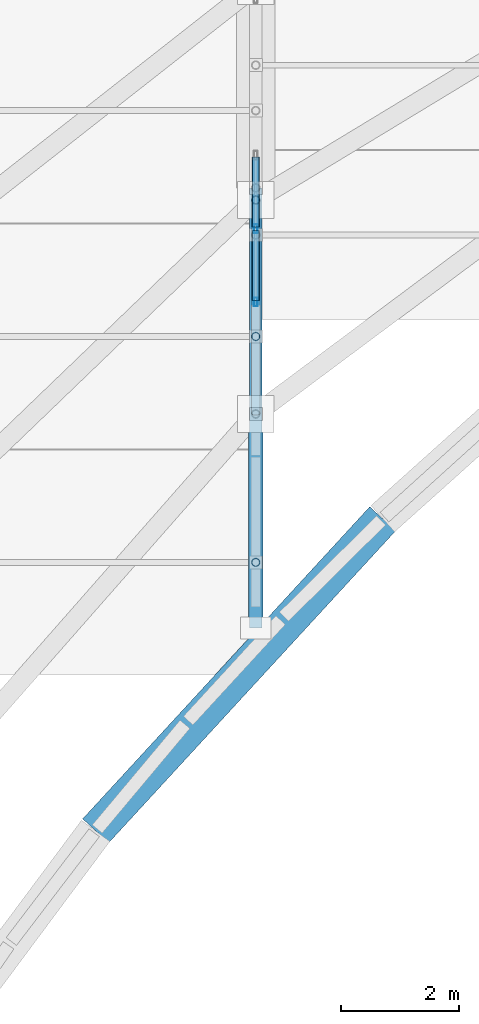
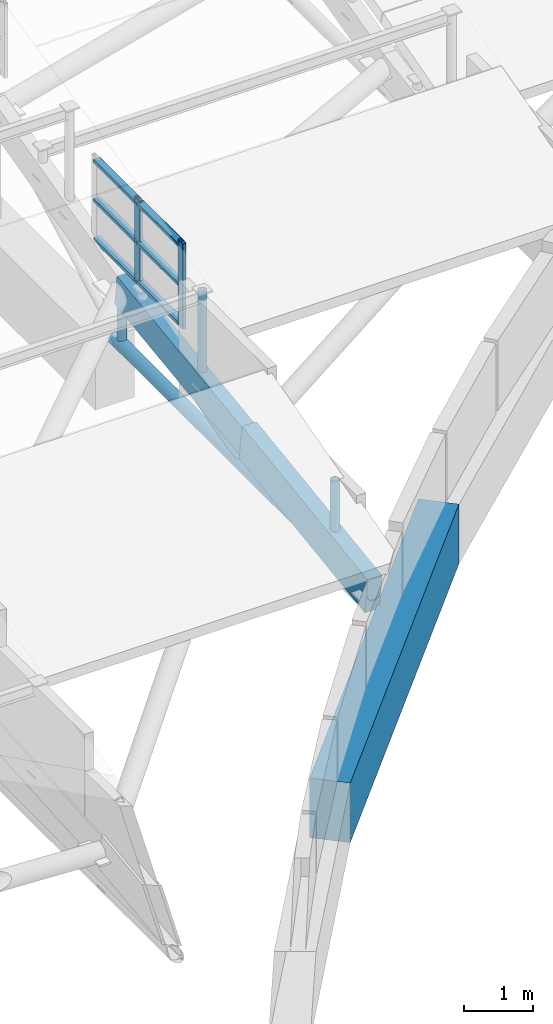
# One storey, part 79 of 188: 15 members, 1 beam, 1 element without a shape of its own.
"""IFC4 building model written with IfcOpenShell, lengths in metres."""

from ifc_helpers import new_model, si_unit, direction, frame, origin, origin_2d, place, context, subcontext, project, spatial, rectangle, hollow_rectangle, hollow_circle, extrude, material, layer, layer_set, material_profile, profile_set, type_object, element, aggregate, save


model = new_model("IFC4")

# Units and contexts
model_context = context("Model", 3, precision=1e-05, world=origin(), true_north=direction((0.0, 1.0)))
body_context = subcontext(model_context, "Body", "Model", "MODEL_VIEW")
ifc_project = project(units=[si_unit("LENGTHUNIT", "METRE"), si_unit("AREAUNIT", "SQUARE_METRE"), si_unit("VOLUMEUNIT", "CUBIC_METRE"), si_unit("PLANEANGLEUNIT", "RADIAN"), si_unit("MASSUNIT", "GRAM", prefix="KILO")], contexts=[model_context])

# Site, building, storey
site_placement = place(None, origin())
site = spatial("IfcSite", under=ifc_project, at=site_placement, CompositionType="ELEMENT")
building_placement = place(site_placement, origin())
building = spatial("IfcBuilding", under=site, at=building_placement, Name="Kisaragi Civic Commons", CompositionType="ELEMENT")
storey_placement = place(building_placement, frame((0.0, 0.0, 9.60009765625)))
storey = spatial("IfcBuildingStorey", under=building, at=storey_placement, Name="L02", CompositionType="ELEMENT", Elevation=9.60009765625)

# Curtain wall, members
ifc_material_1 = material(Name="Thermally broken anodized aluminium and low-E double glazing", Category="aluminium")
ifc_layer = layer(ifc_material_1, 0.14990234375, Name="Thermally broken anodized aluminium and low-E double glazing", Category="aluminium")
ifc_layer_set = layer_set([ifc_layer], Name="Thermally broken anodized aluminium and low-E double glazing")
curtain_wall_type = type_object("IfcCurtainWallType", Name="CW-03", PredefinedType="NOTDEFINED", material=ifc_layer_set)
curtain_wall_placement = place(storey_placement, origin())
curtain_wall = element("IfcCurtainWall", 1, at=curtain_wall_placement, inside=storey, type_object=curtain_wall_type, Name="L02 curtain wall CW-03 CW-CL-V2-209", PredefinedType="NOTDEFINED")
ifc_material_profile_1 = material_profile(ifc_material_1, hollow_rectangle(XDim=0.06005859375, YDim=0.14990234375, WallThickness=0.00390625, InnerFilletRadius=0.00390625, OuterFilletRadius=0.008056640625, at=origin_2d()), Name="CWM-60x150x4", Category="aluminium")
ifc_profile_set_1 = profile_set([ifc_material_profile_1], Name="Thermally broken anodized aluminium and low-E double glazing")
member_type_1 = type_object("IfcMemberType", Name="CWM-01", PredefinedType="MULLION", material=ifc_profile_set_1)
member_1_placement = place(storey_placement, frame((34.0, 94.06591796875, 1.2880859375), z_axis=(0.0, 0.0, 1.0), x_axis=(-1.0, 0.0, 0.0)))
member_1 = element("IfcMember", 2, at=member_1_placement, type_object=member_type_1, Name="CW-03 mullion 1", PredefinedType="MULLION", context=body_context, shape_type="SweptSolid", body=[
    extrude(hollow_rectangle(XDim=0.06005859375, YDim=0.14990234375, WallThickness=0.00390625, InnerFilletRadius=0.00390625, OuterFilletRadius=0.008056640625, at=origin_2d()), origin(), (0.0, 0.0, 1.0), 1.49609375),
])
member_2_placement = place(storey_placement, frame((34.0, 95.307861328125, 1.2880859375), z_axis=(0.0, 0.0, 1.0), x_axis=(-1.0, 0.0, 0.0)))
member_2 = element("IfcMember", 3, at=member_2_placement, type_object=member_type_1, Name="CW-03 mullion 2", PredefinedType="MULLION", context=body_context, shape_type="SweptSolid", body=[
    extrude(hollow_rectangle(XDim=0.06005859375, YDim=0.14990234375, WallThickness=0.00390625, InnerFilletRadius=0.00390625, OuterFilletRadius=0.008056640625, at=origin_2d()), origin(), (0.0, 0.0, 1.0), 1.49609375),
])
ifc_material_profile_2 = material_profile(ifc_material_1, hollow_rectangle(XDim=0.1201171875, YDim=0.06005859375, WallThickness=0.00390625, InnerFilletRadius=0.00390625, OuterFilletRadius=0.008056640625, at=origin_2d()), Name="CWT-60x120x4", Category="aluminium")
ifc_profile_set_2 = profile_set([ifc_material_profile_2], Name="Thermally broken anodized aluminium and low-E double glazing")
member_type_2 = type_object("IfcMemberType", Name="CWT-01", PredefinedType="USERDEFINED", material=ifc_profile_set_2)
member_3_placement = place(storey_placement, frame((34.0, 94.095703125, 1.34814453125), z_axis=(0.0, 1.0, 0.0), x_axis=(-1.0, 0.0, 0.0)))
member_3 = element("IfcMember", 4, at=member_3_placement, type_object=member_type_2, Name="CW-03 transom 1.1", ObjectType="TRANSOM", PredefinedType="USERDEFINED", context=body_context, shape_type="SweptSolid", body=[
    extrude(hollow_rectangle(XDim=0.1201171875, YDim=0.06005859375, WallThickness=0.00390625, InnerFilletRadius=0.00390625, OuterFilletRadius=0.008056640625, at=origin_2d()), origin(), (0.0, 0.0, 1.0), 1.18212890625),
])
member_4_placement = place(storey_placement, frame((34.0, 94.095703125, 2.0361328125), z_axis=(0.0, 1.0, 0.0), x_axis=(-1.0, 0.0, 0.0)))
member_4 = element("IfcMember", 5, at=member_4_placement, type_object=member_type_2, Name="CW-03 transom 1.2", ObjectType="TRANSOM", PredefinedType="USERDEFINED", context=body_context, shape_type="SweptSolid", body=[
    extrude(hollow_rectangle(XDim=0.1201171875, YDim=0.06005859375, WallThickness=0.00390625, InnerFilletRadius=0.00390625, OuterFilletRadius=0.008056640625, at=origin_2d()), origin(), (0.0, 0.0, 1.0), 1.18212890625),
])
member_5_placement = place(storey_placement, frame((34.0, 94.095703125, 2.72412109375), z_axis=(0.0, 1.0, 0.0), x_axis=(-1.0, 0.0, 0.0)))
member_5 = element("IfcMember", 6, at=member_5_placement, type_object=member_type_2, Name="CW-03 transom 1.3", ObjectType="TRANSOM", PredefinedType="USERDEFINED", context=body_context, shape_type="SweptSolid", body=[
    extrude(hollow_rectangle(XDim=0.1201171875, YDim=0.06005859375, WallThickness=0.00390625, InnerFilletRadius=0.00390625, OuterFilletRadius=0.008056640625, at=origin_2d()), origin(), (0.0, 0.0, 1.0), 1.18212890625),
])
member_6_placement = place(storey_placement, frame((34.0, 95.337890625, 1.34814453125), z_axis=(0.0, 1.0, 0.0), x_axis=(-1.0, 0.0, 0.0)))
member_6 = element("IfcMember", 7, at=member_6_placement, type_object=member_type_2, Name="CW-03 transom 2.1", ObjectType="TRANSOM", PredefinedType="USERDEFINED", context=body_context, shape_type="SweptSolid", body=[
    extrude(hollow_rectangle(XDim=0.1201171875, YDim=0.06005859375, WallThickness=0.00390625, InnerFilletRadius=0.00390625, OuterFilletRadius=0.008056640625, at=origin_2d()), origin(), (0.0, 0.0, 1.0), 1.18212890625),
])
member_7_placement = place(storey_placement, frame((34.0, 95.337890625, 2.0361328125), z_axis=(0.0, 1.0, 0.0), x_axis=(-1.0, 0.0, 0.0)))
member_7 = element("IfcMember", 8, at=member_7_placement, type_object=member_type_2, Name="CW-03 transom 2.2", ObjectType="TRANSOM", PredefinedType="USERDEFINED", context=body_context, shape_type="SweptSolid", body=[
    extrude(hollow_rectangle(XDim=0.1201171875, YDim=0.06005859375, WallThickness=0.00390625, InnerFilletRadius=0.00390625, OuterFilletRadius=0.008056640625, at=origin_2d()), origin(), (0.0, 0.0, 1.0), 1.18212890625),
])
member_8_placement = place(storey_placement, frame((34.0, 95.337890625, 2.72412109375), z_axis=(0.0, 1.0, 0.0), x_axis=(-1.0, 0.0, 0.0)))
member_8 = element("IfcMember", 9, at=member_8_placement, type_object=member_type_2, Name="CW-03 transom 2.3", ObjectType="TRANSOM", PredefinedType="USERDEFINED", context=body_context, shape_type="SweptSolid", body=[
    extrude(hollow_rectangle(XDim=0.1201171875, YDim=0.06005859375, WallThickness=0.00390625, InnerFilletRadius=0.00390625, OuterFilletRadius=0.008056640625, at=origin_2d()), origin(), (0.0, 0.0, 1.0), 1.18212890625),
])
aggregate(curtain_wall, [member_1, member_2, member_3, member_4, member_5, member_6, member_7, member_8])

# Beam
ifc_material_2 = material(Name="Concrete Fc36", Category="concrete")
ifc_material_profile_3 = material_profile(ifc_material_2, rectangle(XDim=0.60009765625, YDim=1.050048828125, at=origin_2d()), Name="RC-600x1050", Category="concrete")
ifc_profile_set_3 = profile_set([ifc_material_profile_3], Name="Concrete Fc36")
beam_type = type_object("IfcBeamType", Name="G-06", PredefinedType="BEAM", material=ifc_profile_set_3)
beam_placement = place(storey_placement, frame((36.151123046875, 90.394775390625, -0.84521484375), z_axis=(-0.67695639408, -0.736023124986, 0.0), x_axis=(0.736023124986, -0.67695639408, 0.0)))
element("IfcBeam", 10, at=beam_placement, inside=storey, type_object=beam_type, Name="L02 curved spandrel/ring girder G-06 275", PredefinedType="BEAM", context=body_context, shape_type="SweptSolid", body=[
    extrude(rectangle(XDim=0.60009765625, YDim=1.050048828125, at=origin_2d()), origin(), (0.0, 0.0, 1.0), 7.18359375),
])

# Members
ifc_material_3 = material(Name="Glulam E120-F330", Category="wood")
ifc_material_profile_4 = material_profile(ifc_material_3, rectangle(XDim=0.239990234375, YDim=0.6298828125, at=origin_2d()), Name="GL-240x630", Category="wood")
ifc_profile_set_4 = profile_set([ifc_material_profile_4], Name="Glulam E120-F330")
member_type_3 = type_object("IfcMemberType", Name="GR-03", PredefinedType="RAFTER", material=ifc_profile_set_4)
member_9_placement = place(storey_placement, frame((34.0, 88.544189453125, -0.080078125), z_axis=(0.0, 0.990118160016, 0.14023562032), x_axis=(-1.0, 0.0, 0.0)))
element("IfcMember", 11, at=member_9_placement, inside=storey, type_object=member_type_3, Name="V2 glulam arch rib GR-03 41", PredefinedType="RAFTER", context=body_context, shape_type="SweptSolid", body=[
    extrude(rectangle(XDim=0.239990234375, YDim=0.6298828125, at=origin_2d()), origin(), (0.0, 0.0, 1.0), 3.6611328125),
])
ifc_material_profile_5 = material_profile(ifc_material_3, rectangle(XDim=0.2099609375, YDim=0.5400390625, at=origin_2d()), Name="GL-210x540", Category="wood")
ifc_profile_set_5 = profile_set([ifc_material_profile_5], Name="Glulam E120-F330")
member_type_4 = type_object("IfcMemberType", Name="GR-04", PredefinedType="RAFTER", material=ifc_profile_set_5)
member_10_placement = place(storey_placement, frame((34.0, 92.169189453125, 0.433349609375), z_axis=(0.0, 0.991367276084, 0.131114163652), x_axis=(-1.0, 0.0, 0.0)))
element("IfcMember", 12, at=member_10_placement, inside=storey, type_object=member_type_4, Name="V2 glulam arch rib GR-04 42", PredefinedType="RAFTER", context=body_context, shape_type="SweptSolid", body=[
    extrude(rectangle(XDim=0.2099609375, YDim=0.5400390625, at=origin_2d()), origin(), (0.0, 0.0, 1.0), 3.656982421875),
])
ifc_material_4 = material(Name="Steel SN490 (SN490B)", Category="steel")
ifc_material_profile_6 = material_profile(ifc_material_4, hollow_circle(Radius=0.06982421875, WallThickness=0.006103515625, at=origin_2d()), Name="CHS-139.8x6.0", Category="steel")
ifc_profile_set_6 = profile_set([ifc_material_profile_6], Name="Steel SN490 (SN490B)")
member_type_5 = type_object("IfcMemberType", Name="ST-H1", PredefinedType="STRUT", material=ifc_profile_set_6)
member_11_placement = place(storey_placement, frame((34.0, 95.794677734375, -0.080078125), z_axis=(0.0, 0.0, 1.0), x_axis=(1.0, 0.0, 0.0)))
element("IfcMember", 13, at=member_11_placement, inside=storey, type_object=member_type_5, Name="V2 arch tie hanger strut 75", PredefinedType="STRUT", context=body_context, shape_type="SweptSolid", body=[
    extrude(hollow_circle(Radius=0.06982421875, WallThickness=0.006103515625, at=origin_2d()), origin(), (0.0, 0.0, 1.0), 0.992919921875),
])
member_12_placement = place(storey_placement, frame((34.0, 92.169189453125, -0.080078125), z_axis=(0.0, 0.964482996775, 0.264144939251), x_axis=(-1.0, 0.0, 0.0)))
element("IfcMember", 14, at=member_12_placement, inside=storey, type_object=member_type_5, Name="V2 tied arch truss diagonal web strut 81", PredefinedType="STRUT", context=body_context, shape_type="SweptSolid", body=[
    extrude(hollow_circle(Radius=0.06982421875, WallThickness=0.006103515625, at=origin_2d()), origin(), (0.0, 0.0, 1.0), 3.759033203125),
])
member_13_placement = place(storey_placement, frame((34.0, 89.65673828125, 0.077392578125), z_axis=(0.0, 0.0, 1.0), x_axis=(1.0, 0.0, 0.0)))
element("IfcMember", 15, at=member_13_placement, inside=storey, type_object=member_type_5, Name="V2 clerestory monitor horizontal tie strut 5.5.1", PredefinedType="STRUT", context=body_context, shape_type="SweptSolid", body=[
    extrude(hollow_circle(Radius=0.06982421875, WallThickness=0.006103515625, at=origin_2d()), origin(), (0.0, 0.0, 1.0), 1.198486328125),
])
member_14_placement = place(storey_placement, frame((34.0, 93.48193359375, 0.60693359375), z_axis=(0.0, 0.0, 1.0), x_axis=(1.0, 0.0, 0.0)))
element("IfcMember", 16, at=member_14_placement, inside=storey, type_object=member_type_5, Name="V2 clerestory monitor horizontal tie strut 5.5.2", PredefinedType="STRUT", context=body_context, shape_type="SweptSolid", body=[
    extrude(hollow_circle(Radius=0.06982421875, WallThickness=0.006103515625, at=origin_2d()), origin(), (0.0, 0.0, 1.0), 1.67919921875),
])
ifc_material_profile_7 = material_profile(ifc_material_4, hollow_circle(Radius=0.108154296875, WallThickness=0.008056640625, at=origin_2d()), Name="CHS-216.3x8.0", Category="steel")
ifc_profile_set_7 = profile_set([ifc_material_profile_7], Name="Steel SN490 (SN490B)")
member_type_6 = type_object("IfcMemberType", Name="ST-T2", PredefinedType="STRUT", material=ifc_profile_set_7)
member_15_placement = place(storey_placement, frame((34.0, 88.544189453125, -0.080078125), z_axis=(0.0, 1.0, 0.0), x_axis=(-1.0, 0.0, 0.0)))
element("IfcMember", 17, at=member_15_placement, inside=storey, type_object=member_type_6, Name="V2 arch tension tie ST-T2 72", PredefinedType="STRUT", context=body_context, shape_type="SweptSolid", body=[
    extrude(hollow_circle(Radius=0.108154296875, WallThickness=0.008056640625, at=origin_2d()), origin(), (0.0, 0.0, 1.0), 7.455810546875),
])

save(model, "model.ifc")
